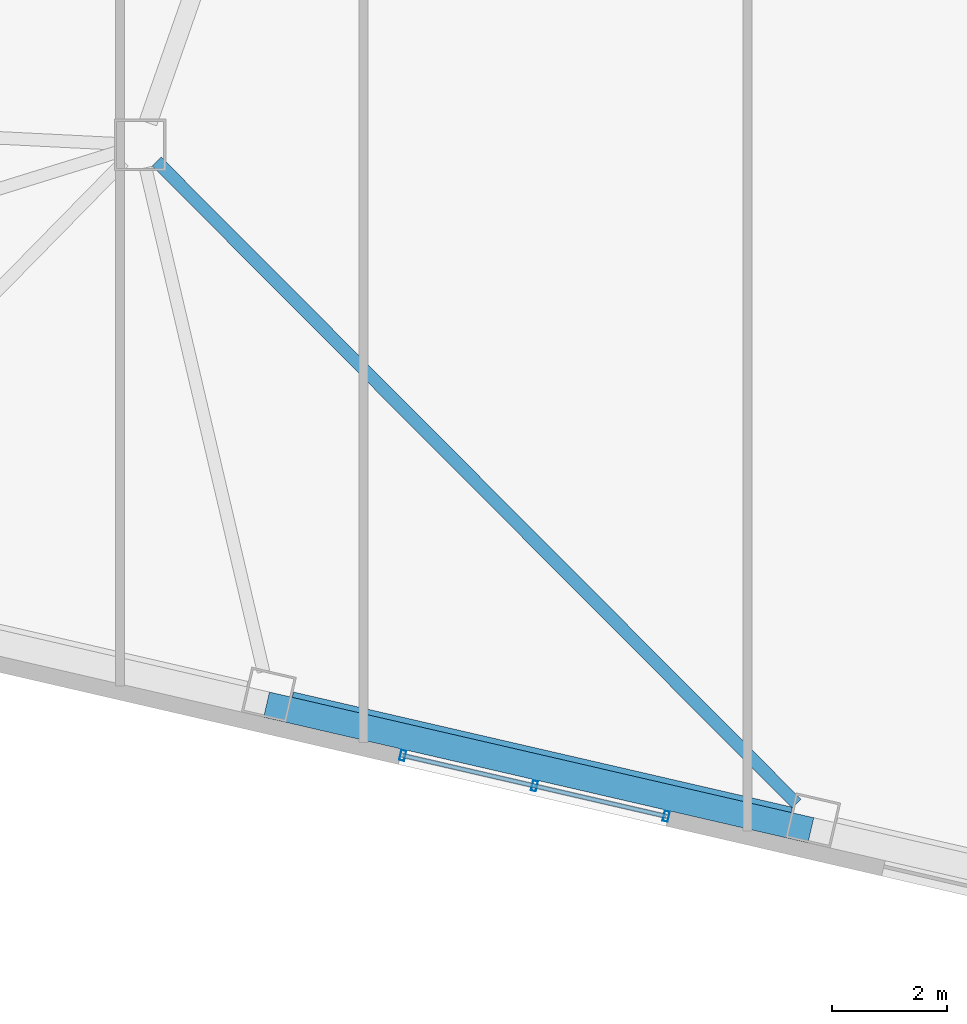
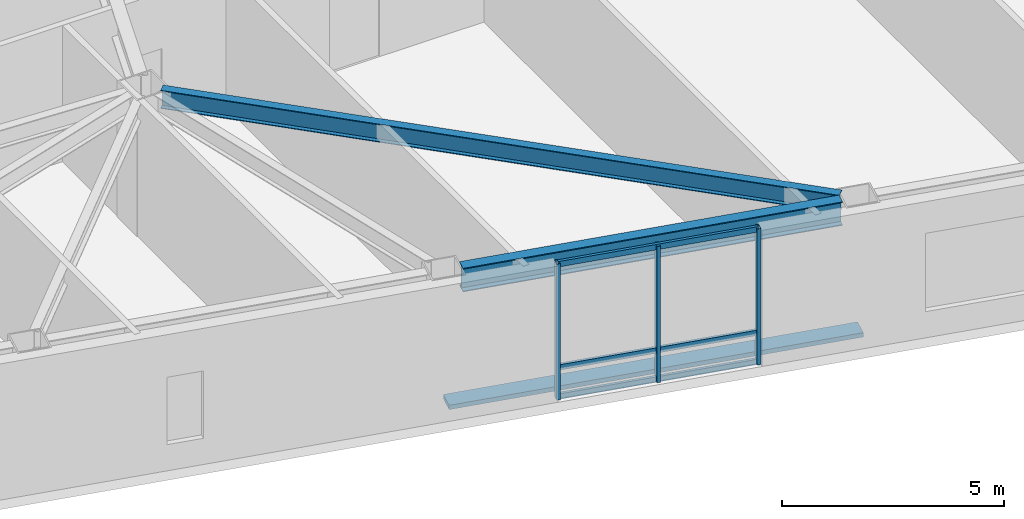
# One storey, part 4 of 23: 7 members, 2 beams, 1 element without a shape of its own.
"""IFC4 building model written with IfcOpenShell, lengths in metres."""

from ifc_helpers import new_model, si_unit, direction, frame, origin, origin_2d, place, context, subcontext, project, spatial, rectangle, hollow_rectangle, i_section, extrude, material, layer, layer_set, material_profile, profile_set, type_object, element, aggregate, save


model = new_model("IFC4")

# Units and contexts
model_context = context("Model", 3, precision=1e-05, world=origin(), true_north=direction((0.0, 1.0)))
body_context = subcontext(model_context, "Body", "Model", "MODEL_VIEW")
ifc_project = project(units=[si_unit("LENGTHUNIT", "METRE"), si_unit("AREAUNIT", "SQUARE_METRE"), si_unit("VOLUMEUNIT", "CUBIC_METRE"), si_unit("PLANEANGLEUNIT", "RADIAN"), si_unit("MASSUNIT", "GRAM", prefix="KILO")], contexts=[model_context])

# Site, building, storey
site_placement = place(None, origin())
site = spatial("IfcSite", under=ifc_project, at=site_placement, CompositionType="ELEMENT")
building_placement = place(site_placement, origin())
building = spatial("IfcBuilding", under=site, at=building_placement, Name="Tavrogorsk Clinical Tower", CompositionType="ELEMENT")
storey_placement = place(building_placement, frame((0.0, 0.0, 63.39990234375)))
storey = spatial("IfcBuildingStorey", under=building, at=storey_placement, Name="L13", CompositionType="ELEMENT", Elevation=63.39990234375)

# Member
ifc_material_1 = material(Name="Anodised aluminium alloy AW-6063", Category="aluminium")
ifc_material_profile_1 = material_profile(ifc_material_1, rectangle(XDim=0.449951171875, YDim=0.1201171875, at=origin_2d()), Name="ALU-SUNSHADE-450x120")
ifc_profile_set_1 = profile_set([ifc_material_profile_1], Name="Anodised aluminium alloy AW-6063")
member_type_1 = type_object("IfcMemberType", Name="ChicagoSunshade_450x120", PredefinedType="USERDEFINED", material=ifc_profile_set_1)
member_1_placement = place(storey_placement, frame((-22.29443359375, -22.96728515625, 0.18017578125), z_axis=(0.97437219846, -0.224941812182, 0.0), x_axis=(0.224941812182, 0.97437219846, 0.0)))
element("IfcMember", 1, at=member_1_placement, inside=storey, type_object=member_type_1, Name="L13 South Aluminium Sunshade S3", ObjectType="SUNSHADE", PredefinedType="USERDEFINED", context=body_context, shape_type="SweptSolid", body=[
    extrude(rectangle(XDim=0.449951171875, YDim=0.1201171875, at=origin_2d()), origin(), (0.0, 0.0, 1.0), 9.74853515625),
])

# Curtain wall, members
ifc_material_2 = material(Name="Anodised aluminium and triple IGU glazing", Category="aluminium")
ifc_layer = layer(ifc_material_2, 0.179931640625)
ifc_layer_set = layer_set([ifc_layer], Name="Anodised aluminium and triple IGU glazing")
curtain_wall_type = type_object("IfcCurtainWallType", Name="CW3_SouthSlot", PredefinedType="NOTDEFINED", material=ifc_layer_set)
curtain_wall_placement = place(storey_placement, origin())
curtain_wall = element("IfcCurtainWall", 2, at=curtain_wall_placement, inside=storey, type_object=curtain_wall_type, Name="L13 Curtain Wall CW-L13-S-SLOT-1", PredefinedType="NOTDEFINED")
ifc_material_3 = material(Name="Anodised aluminium alloy AW-6060", Category="aluminium")
ifc_material_profile_2 = material_profile(ifc_material_3, hollow_rectangle(XDim=0.090087890625, YDim=0.179931640625, WallThickness=0.00634765625, at=origin_2d()), Name="RHS-180x90x6.3")
ifc_profile_set_2 = profile_set([ifc_material_profile_2], Name="Anodised aluminium alloy AW-6060")
member_type_2 = type_object("IfcMemberType", Name="CwMullion_180x90", PredefinedType="MULLION", material=ifc_profile_set_2)
member_2_placement = place(storey_placement, frame((-19.917724609375, -23.8544921875, 0.0), z_axis=(0.0, 0.0, 1.0), x_axis=(0.974370046851, -0.224951132027, 0.0)))
member_2 = element("IfcMember", 3, at=member_2_placement, type_object=member_type_2, Name="CW-L13-S-SLOT-1 Mullion 1", PredefinedType="MULLION", context=body_context, shape_type="SweptSolid", body=[
    extrude(hollow_rectangle(XDim=0.090087890625, YDim=0.179931640625, WallThickness=0.00634765625, at=origin_2d()), origin(), (0.0, 0.0, 1.0), 3.739990234375),
])
member_3_placement = place(storey_placement, frame((-17.619384765625, -24.38525390625, 0.0), z_axis=(0.0, 0.0, 1.0), x_axis=(0.974370046851, -0.224951132027, 0.0)))
member_3 = element("IfcMember", 4, at=member_3_placement, type_object=member_type_2, Name="CW-L13-S-SLOT-1 Mullion 2", PredefinedType="MULLION", context=body_context, shape_type="SweptSolid", body=[
    extrude(hollow_rectangle(XDim=0.090087890625, YDim=0.179931640625, WallThickness=0.00634765625, at=origin_2d()), origin(), (0.0, 0.0, 1.0), 3.739990234375),
])
member_4_placement = place(storey_placement, frame((-15.32080078125, -24.916015625, 0.0), z_axis=(0.0, 0.0, 1.0), x_axis=(0.974370046851, -0.224951132027, 0.0)))
member_4 = element("IfcMember", 5, at=member_4_placement, type_object=member_type_2, Name="CW-L13-S-SLOT-1 Mullion 3", PredefinedType="MULLION", context=body_context, shape_type="SweptSolid", body=[
    extrude(hollow_rectangle(XDim=0.090087890625, YDim=0.179931640625, WallThickness=0.00634765625, at=origin_2d()), origin(), (0.0, 0.0, 1.0), 3.739990234375),
])
ifc_material_4 = material(Name="Anodised aluminium alloy AW-6060", Category="aluminium")
ifc_material_profile_3 = material_profile(ifc_material_4, hollow_rectangle(XDim=0.074951171875, YDim=0.14990234375, WallThickness=0.0048828125, at=origin_2d()), Name="RHS-150x75x5")
ifc_profile_set_3 = profile_set([ifc_material_profile_3], Name="Anodised aluminium alloy AW-6060")
member_type_3 = type_object("IfcMemberType", Name="CwTransom_150x75", PredefinedType="USERDEFINED", material=ifc_profile_set_3)
member_5_placement = place(storey_placement, frame((-19.917724609375, -23.8544921875, 0.050048828125), z_axis=(0.974358915979, -0.224999339672, 0.0), x_axis=(0.224999339672, 0.974358915979, 0.0)))
member_5 = element("IfcMember", 6, at=member_5_placement, type_object=member_type_3, Name="CW-L13-S-SLOT-1 Transom 1", ObjectType="TRANSOM", PredefinedType="USERDEFINED", context=body_context, shape_type="SweptSolid", body=[
    extrude(hollow_rectangle(XDim=0.074951171875, YDim=0.14990234375, WallThickness=0.0048828125, at=origin_2d()), origin(), (0.0, 0.0, 1.0), 4.718017578125),
])
member_6_placement = place(storey_placement, frame((-19.917724609375, -23.8544921875, 0.85009765625), z_axis=(0.974358915979, -0.224999339672, 0.0), x_axis=(0.224999339672, 0.974358915979, 0.0)))
member_6 = element("IfcMember", 7, at=member_6_placement, type_object=member_type_3, Name="CW-L13-S-SLOT-1 Transom 2", ObjectType="TRANSOM", PredefinedType="USERDEFINED", context=body_context, shape_type="SweptSolid", body=[
    extrude(hollow_rectangle(XDim=0.074951171875, YDim=0.14990234375, WallThickness=0.0048828125, at=origin_2d()), origin(), (0.0, 0.0, 1.0), 4.718017578125),
])
member_7_placement = place(storey_placement, frame((-19.917724609375, -23.8544921875, 3.690185546875), z_axis=(0.974358915979, -0.224999339672, 0.0), x_axis=(0.224999339672, 0.974358915979, 0.0)))
member_7 = element("IfcMember", 8, at=member_7_placement, type_object=member_type_3, Name="CW-L13-S-SLOT-1 Transom 3", ObjectType="TRANSOM", PredefinedType="USERDEFINED", context=body_context, shape_type="SweptSolid", body=[
    extrude(hollow_rectangle(XDim=0.074951171875, YDim=0.14990234375, WallThickness=0.0048828125, at=origin_2d()), origin(), (0.0, 0.0, 1.0), 4.718017578125),
])
aggregate(curtain_wall, [member_2, member_3, member_4, member_5, member_6, member_7])

# Beams
ifc_material_5 = material(Name="Structural steel S355", Category="steel")
ifc_material_profile_4 = material_profile(ifc_material_5, i_section(OverallWidth=0.219970703125, OverallDepth=0.5, WebThickness=0.012939453125, FlangeThickness=0.02001953125, at=origin_2d()), Name="B-500x220x13x20")
ifc_profile_set_4 = profile_set([ifc_material_profile_4], Name="Structural steel S355")
beam_type_1 = type_object("IfcBeamType", Name="FloorBeam_B500", PredefinedType="BEAM", material=ifc_profile_set_4)
beam_1_placement = place(storey_placement, frame((-24.210693359375, -13.490478515625, 3.489990234375), z_axis=(0.705909757155, -0.70830178226, 0.0), x_axis=(0.70830178226, 0.705909757155, 0.0)))
element("IfcBeam", 9, at=beam_1_placement, inside=storey, type_object=beam_type_1, Name="L13 Radial Floor Beam S4", PredefinedType="BEAM", context=body_context, shape_type="SweptSolid", body=[
    extrude(i_section(OverallWidth=0.219970703125, OverallDepth=0.5, WebThickness=0.012939453125, FlangeThickness=0.02001953125, at=origin_2d()), origin(), (0.0, 0.0, 1.0), 15.820068359375),
])
ifc_material_6 = material(Name="Structural steel S390", Category="steel")
ifc_material_profile_5 = material_profile(ifc_material_6, i_section(OverallWidth=0.280029296875, OverallDepth=0.64990234375, WebThickness=0.01611328125, FlangeThickness=0.02490234375, at=origin_2d()), Name="B-650x280x16x25")
ifc_profile_set_5 = profile_set([ifc_material_profile_5], Name="Structural steel S390")
beam_type_2 = type_object("IfcBeamType", Name="SpandrelBeam_B650", PredefinedType="SPANDREL", material=ifc_profile_set_5)
beam_2_placement = place(storey_placement, frame((-21.8564453125, -22.8837890625, 3.4150390625), z_axis=(0.974372766602, -0.224939351168, 0.0), x_axis=(0.224939351168, 0.974372766602, 0.0)))
element("IfcBeam", 10, at=beam_2_placement, inside=storey, type_object=beam_type_2, Name="L13 Perimeter Spandrel S3-S4", PredefinedType="SPANDREL", context=body_context, shape_type="SweptSolid", body=[
    extrude(i_section(OverallWidth=0.280029296875, OverallDepth=0.64990234375, WebThickness=0.01611328125, FlangeThickness=0.02490234375, at=origin_2d()), origin(), (0.0, 0.0, 1.0), 8.9326171875),
])

save(model, "model.ifc")
